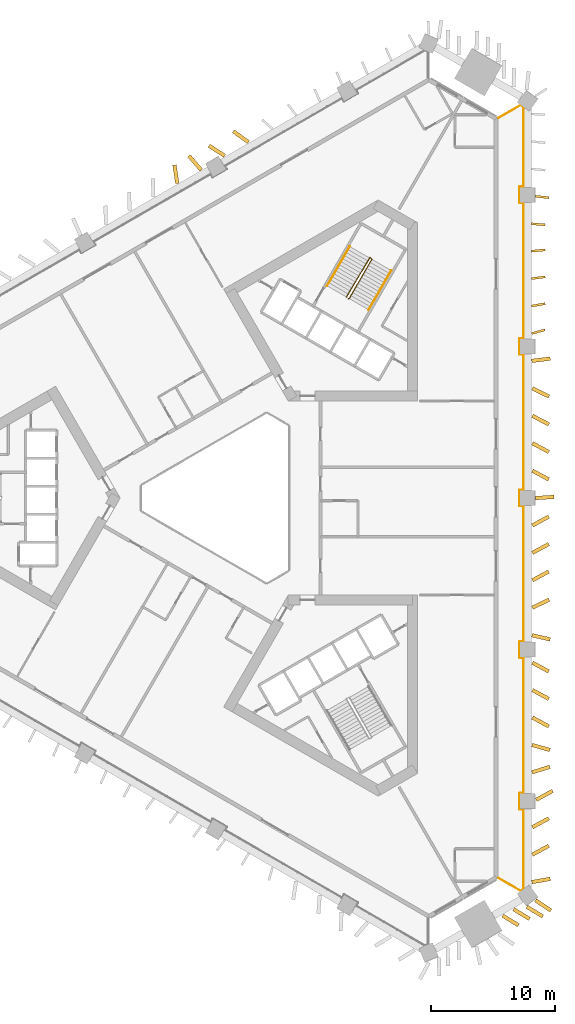
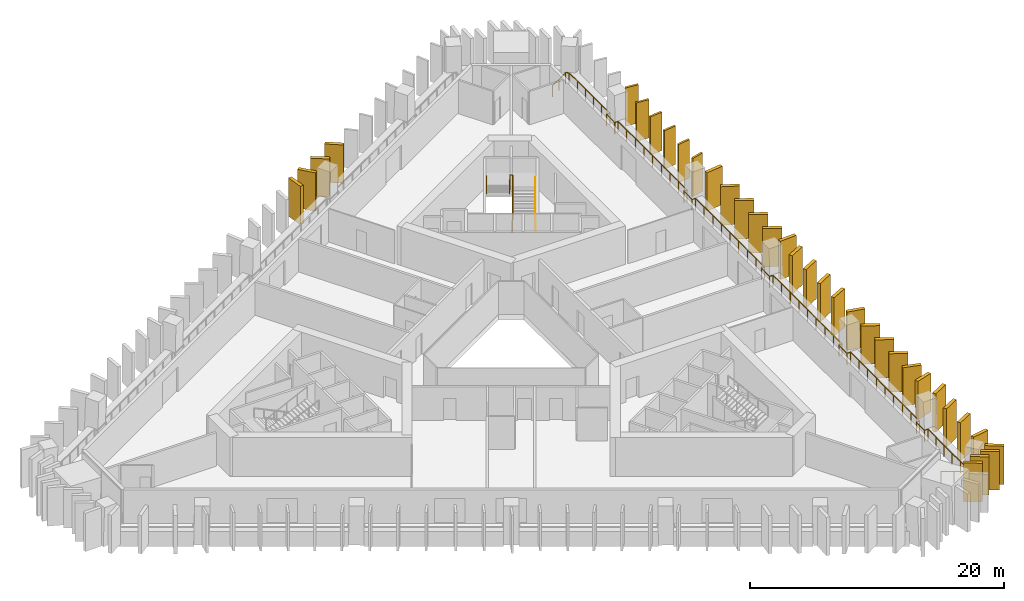
# One storey, part 9 of 10: 34 shading devices, 4 railings.
"""IFC4 building model written with IfcOpenShell, lengths in metres."""

from ifc_helpers import new_model, si_unit, direction, frame, frame_2d, origin, origin_2d, place, context, subcontext, project, spatial, rectangle, circle, extrude, material, layer, layer_set, type_object, element, save


model = new_model("IFC4")

# Units and contexts
model_context = context("Model", 3, precision=1e-05, world=origin(), true_north=direction((0.0, 1.0)))
body_context = subcontext(model_context, "Body", "Model", "MODEL_VIEW")
ifc_project = project(units=[si_unit("LENGTHUNIT", "METRE"), si_unit("AREAUNIT", "SQUARE_METRE"), si_unit("VOLUMEUNIT", "CUBIC_METRE"), si_unit("PLANEANGLEUNIT", "RADIAN"), si_unit("MASSUNIT", "GRAM", prefix="KILO")], contexts=[model_context])

# Site, building, storey
site_placement = place(None, origin())
site = spatial("IfcSite", under=ifc_project, at=site_placement, CompositionType="ELEMENT")
building_placement = place(site_placement, origin())
building = spatial("IfcBuilding", under=site, at=building_placement, Name="Jabali Bay Hotel Tower and Convention Centre", CompositionType="ELEMENT")
storey_placement = place(building_placement, frame((0.0, 0.0, 44.800048828125)))
storey = spatial("IfcBuildingStorey", under=building, at=storey_placement, Name="L09", CompositionType="ELEMENT", Elevation=44.800048828125)

# Railing
ifc_material_1 = material(Name="Glass", Category="glass")
railing_type_1 = type_object("IfcRailingType", Name="Loggia glass guard 1100", PredefinedType="BALUSTRADE", material=ifc_material_1)
railing_1_placement = place(storey_placement, frame((96.401123046875, 110.54052734375, 0.0)))
element("IfcRailing", 1, at=railing_1_placement, inside=storey, type_object=railing_type_1, Name="Loggia glass guard L09", PredefinedType="BALUSTRADE", context=body_context, shape_type="SweptSolid", body=[
    extrude(circle(Radius=0.02490234375, at=origin_2d()), frame((0.0, 0.0, 1.0751953125), z_axis=(0.866005633567, 0.500034241458, 0.0), x_axis=(-0.495756379204, 0.858596835321, 0.13052619222)), (0.0, 0.0, 1.0), 2.055908203125),
    extrude(circle(Radius=0.02490234375, at=origin_2d()), frame((1.780517578125, 1.028076171875, 1.0751953125), z_axis=(0.802243160575, -0.596997413153, 0.0), x_axis=(0.591890017524, 0.795379859124, 0.13052619222)), (0.0, 0.0, 1.0), 0.273681640625),
    extrude(circle(Radius=0.02490234375, at=origin_2d()), frame((2.0, 0.86474609375, 1.0751953125), z_axis=(0.0, -1.0, 0.0), x_axis=(0.991444861374, 0.0, 0.13052619222)), (0.0, 0.0, 1.0), 6.390869140625),
    extrude(circle(Radius=0.02490234375, at=origin_2d()), frame((2.0, -5.526123046875, 1.0751953125), z_axis=(-1.0, 0.0, 0.0), x_axis=(0.0, -0.991444861374, 0.13052619222)), (0.0, 0.0, 1.0), 0.2998046875),
    extrude(circle(Radius=0.02490234375, at=origin_2d()), frame((1.7001953125, -5.526123046875, 1.0751953125), z_axis=(0.0, -1.0, 0.0), x_axis=(0.991444861374, 0.0, 0.13052619222)), (0.0, 0.0, 1.0), 1.300048828125),
    extrude(circle(Radius=0.02490234375, at=origin_2d()), frame((1.7001953125, -6.826171875, 1.0751953125), z_axis=(1.0, 0.0, 0.0), x_axis=(0.0, 0.991444861374, 0.13052619222)), (0.0, 0.0, 1.0), 0.2998046875),
    extrude(circle(Radius=0.02490234375, at=origin_2d()), frame((2.0, -6.826171875, 1.0751953125), z_axis=(0.0, -1.0, 0.0), x_axis=(0.991444861374, 0.0, 0.13052619222)), (0.0, 0.0, 1.0), 10.882080078125),
    extrude(circle(Radius=0.02490234375, at=origin_2d()), frame((2.0, -17.708251953125, 1.0751953125), z_axis=(-1.0, 0.0, 0.0), x_axis=(0.0, -0.991444861374, 0.13052619222)), (0.0, 0.0, 1.0), 0.2998046875),
    extrude(circle(Radius=0.02490234375, at=origin_2d()), frame((1.7001953125, -17.708251953125, 1.0751953125), z_axis=(0.0, -1.0, 0.0), x_axis=(0.991444861374, 0.0, 0.13052619222)), (0.0, 0.0, 1.0), 1.300048828125),
    extrude(circle(Radius=0.02490234375, at=origin_2d()), frame((1.7001953125, -19.00830078125, 1.0751953125), z_axis=(1.0, 0.0, 0.0), x_axis=(0.0, 0.991444861374, 0.13052619222)), (0.0, 0.0, 1.0), 0.2998046875),
    extrude(circle(Radius=0.02490234375, at=origin_2d()), frame((2.0, -19.00830078125, 1.0751953125), z_axis=(0.0, -1.0, 0.0), x_axis=(0.991444861374, 0.0, 0.13052619222)), (0.0, 0.0, 1.0), 10.88232421875),
    extrude(circle(Radius=0.02490234375, at=origin_2d()), frame((2.0, -29.890625, 1.0751953125), z_axis=(-1.0, 0.0, 0.0), x_axis=(0.0, -0.991444861374, 0.13052619222)), (0.0, 0.0, 1.0), 0.2998046875),
    extrude(circle(Radius=0.02490234375, at=origin_2d()), frame((1.7001953125, -29.890625, 1.0751953125), z_axis=(0.0, -1.0, 0.0), x_axis=(0.991444861374, 0.0, 0.13052619222)), (0.0, 0.0, 1.0), 1.2998046875),
    extrude(circle(Radius=0.02490234375, at=origin_2d()), frame((1.7001953125, -31.1904296875, 1.0751953125), z_axis=(1.0, 0.0, 0.0), x_axis=(0.0, 0.991444861374, 0.13052619222)), (0.0, 0.0, 1.0), 0.2998046875),
    extrude(circle(Radius=0.02490234375, at=origin_2d()), frame((2.0, -31.1904296875, 1.0751953125), z_axis=(0.0, -1.0, 0.0), x_axis=(0.991444861374, 0.0, 0.13052619222)), (0.0, 0.0, 1.0), 10.88232421875),
    extrude(circle(Radius=0.02490234375, at=origin_2d()), frame((2.0, -42.07275390625, 1.0751953125), z_axis=(-1.0, 0.0, 0.0), x_axis=(0.0, -0.991444861374, 0.13052619222)), (0.0, 0.0, 1.0), 0.2998046875),
    extrude(circle(Radius=0.02490234375, at=origin_2d()), frame((1.7001953125, -42.07275390625, 1.0751953125), z_axis=(0.0, -1.0, 0.0), x_axis=(0.991444861374, 0.0, 0.13052619222)), (0.0, 0.0, 1.0), 1.300048828125),
    extrude(circle(Radius=0.02490234375, at=origin_2d()), frame((1.7001953125, -43.372802734375, 1.0751953125), z_axis=(1.0, 0.0, 0.0), x_axis=(0.0, 0.991444861374, 0.13052619222)), (0.0, 0.0, 1.0), 0.2998046875),
    extrude(circle(Radius=0.02490234375, at=origin_2d()), frame((2.0, -43.372802734375, 1.0751953125), z_axis=(0.0, -1.0, 0.0), x_axis=(0.991444861374, 0.0, 0.13052619222)), (0.0, 0.0, 1.0), 10.882080078125),
    extrude(circle(Radius=0.02490234375, at=origin_2d()), frame((2.0, -54.2548828125, 1.0751953125), z_axis=(-1.0, 0.0, 0.0), x_axis=(0.0, -0.991444861374, 0.13052619222)), (0.0, 0.0, 1.0), 0.2998046875),
    extrude(circle(Radius=0.02490234375, at=origin_2d()), frame((1.7001953125, -54.2548828125, 1.0751953125), z_axis=(0.0, -1.0, 0.0), x_axis=(0.991444861374, 0.0, 0.13052619222)), (0.0, 0.0, 1.0), 1.300048828125),
    extrude(circle(Radius=0.02490234375, at=origin_2d()), frame((1.7001953125, -55.554931640625, 1.0751953125), z_axis=(1.0, 0.0, 0.0), x_axis=(0.0, 0.991444861374, 0.13052619222)), (0.0, 0.0, 1.0), 0.2998046875),
    extrude(circle(Radius=0.02490234375, at=origin_2d()), frame((2.0, -55.554931640625, 1.0751953125), z_axis=(0.0, -1.0, 0.0), x_axis=(0.991444861374, 0.0, 0.13052619222)), (0.0, 0.0, 1.0), 6.390869140625),
    extrude(circle(Radius=0.02490234375, at=origin_2d()), frame((2.0, -61.94580078125, 1.0751953125), z_axis=(-0.802243160575, -0.596997413153, 0.0), x_axis=(0.591890017524, -0.795379859124, 0.13052619222)), (0.0, 0.0, 1.0), 0.273681640625),
    extrude(circle(Radius=0.02490234375, at=origin_2d()), frame((1.780517578125, -62.109130859375, 1.0751953125), z_axis=(-0.866005633567, 0.500034241458, 0.0), x_axis=(-0.495756379204, -0.858596835321, 0.13052619222)), (0.0, 0.0, 1.0), 2.055908203125),
    extrude(circle(Radius=0.02001953125, at=origin_2d()), origin(), (0.0, 0.0, 1.0), 1.050048828125),
    extrude(circle(Radius=0.02001953125, at=origin_2d()), frame((0.89013671875, 0.51416015625, 0.0)), (0.0, 0.0, 1.0), 1.050048828125),
    extrude(circle(Radius=0.02001953125, at=origin_2d()), frame((1.780517578125, 1.028076171875, 0.0)), (0.0, 0.0, 1.0), 1.050048828125),
    extrude(circle(Radius=0.02001953125, at=origin_2d()), frame((2.0, 0.86474609375, 0.0)), (0.0, 0.0, 1.0), 1.050048828125),
    extrude(circle(Radius=0.02001953125, at=origin_2d()), frame((2.0, -0.413330078125, 0.0)), (0.0, 0.0, 1.0), 1.050048828125),
    extrude(circle(Radius=0.02001953125, at=origin_2d()), frame((2.0, -1.691650390625, 0.0)), (0.0, 0.0, 1.0), 1.050048828125),
    extrude(circle(Radius=0.02001953125, at=origin_2d()), frame((2.0, -2.9697265625, 0.0)), (0.0, 0.0, 1.0), 1.050048828125),
    extrude(circle(Radius=0.02001953125, at=origin_2d()), frame((2.0, -4.248046875, 0.0)), (0.0, 0.0, 1.0), 1.050048828125),
    extrude(circle(Radius=0.02001953125, at=origin_2d()), frame((2.0, -5.526123046875, 0.0)), (0.0, 0.0, 1.0), 1.050048828125),
    extrude(circle(Radius=0.02001953125, at=origin_2d()), frame((1.7001953125, -5.526123046875, 0.0)), (0.0, 0.0, 1.0), 1.050048828125),
    extrude(circle(Radius=0.02001953125, at=origin_2d()), frame((1.7001953125, -6.826171875, 0.0)), (0.0, 0.0, 1.0), 1.050048828125),
    extrude(circle(Radius=0.02001953125, at=origin_2d()), frame((2.0, -6.826171875, 0.0)), (0.0, 0.0, 1.0), 1.050048828125),
    extrude(circle(Radius=0.02001953125, at=origin_2d()), frame((2.0, -8.1865234375, 0.0)), (0.0, 0.0, 1.0), 1.050048828125),
    extrude(circle(Radius=0.02001953125, at=origin_2d()), frame((2.0, -9.546630859375, 0.0)), (0.0, 0.0, 1.0), 1.050048828125),
    extrude(circle(Radius=0.02001953125, at=origin_2d()), frame((2.0, -10.906982421875, 0.0)), (0.0, 0.0, 1.0), 1.050048828125),
    extrude(circle(Radius=0.02001953125, at=origin_2d()), frame((2.0, -12.26708984375, 0.0)), (0.0, 0.0, 1.0), 1.050048828125),
    extrude(circle(Radius=0.02001953125, at=origin_2d()), frame((2.0, -13.62744140625, 0.0)), (0.0, 0.0, 1.0), 1.050048828125),
    extrude(circle(Radius=0.02001953125, at=origin_2d()), frame((2.0, -14.98779296875, 0.0)), (0.0, 0.0, 1.0), 1.050048828125),
    extrude(circle(Radius=0.02001953125, at=origin_2d()), frame((2.0, -16.347900390625, 0.0)), (0.0, 0.0, 1.0), 1.050048828125),
    extrude(circle(Radius=0.02001953125, at=origin_2d()), frame((2.0, -17.708251953125, 0.0)), (0.0, 0.0, 1.0), 1.050048828125),
    extrude(circle(Radius=0.02001953125, at=origin_2d()), frame((1.7001953125, -17.708251953125, 0.0)), (0.0, 0.0, 1.0), 1.050048828125),
    extrude(circle(Radius=0.02001953125, at=origin_2d()), frame((1.7001953125, -19.00830078125, 0.0)), (0.0, 0.0, 1.0), 1.050048828125),
    extrude(circle(Radius=0.02001953125, at=origin_2d()), frame((2.0, -19.00830078125, 0.0)), (0.0, 0.0, 1.0), 1.050048828125),
    extrude(circle(Radius=0.02001953125, at=origin_2d()), frame((2.0, -20.36865234375, 0.0)), (0.0, 0.0, 1.0), 1.050048828125),
    extrude(circle(Radius=0.02001953125, at=origin_2d()), frame((2.0, -21.72900390625, 0.0)), (0.0, 0.0, 1.0), 1.050048828125),
    extrude(circle(Radius=0.02001953125, at=origin_2d()), frame((2.0, -23.089111328125, 0.0)), (0.0, 0.0, 1.0), 1.050048828125),
    extrude(circle(Radius=0.02001953125, at=origin_2d()), frame((2.0, -24.449462890625, 0.0)), (0.0, 0.0, 1.0), 1.050048828125),
    extrude(circle(Radius=0.02001953125, at=origin_2d()), frame((2.0, -25.809814453125, 0.0)), (0.0, 0.0, 1.0), 1.050048828125),
    extrude(circle(Radius=0.02001953125, at=origin_2d()), frame((2.0, -27.169921875, 0.0)), (0.0, 0.0, 1.0), 1.050048828125),
    extrude(circle(Radius=0.02001953125, at=origin_2d()), frame((2.0, -28.5302734375, 0.0)), (0.0, 0.0, 1.0), 1.050048828125),
    extrude(circle(Radius=0.02001953125, at=origin_2d()), frame((2.0, -29.890625, 0.0)), (0.0, 0.0, 1.0), 1.050048828125),
    extrude(circle(Radius=0.02001953125, at=origin_2d()), frame((1.7001953125, -29.890625, 0.0)), (0.0, 0.0, 1.0), 1.050048828125),
    extrude(circle(Radius=0.02001953125, at=origin_2d()), frame((1.7001953125, -31.1904296875, 0.0)), (0.0, 0.0, 1.0), 1.050048828125),
    extrude(circle(Radius=0.02001953125, at=origin_2d()), frame((2.0, -31.1904296875, 0.0)), (0.0, 0.0, 1.0), 1.050048828125),
    extrude(circle(Radius=0.02001953125, at=origin_2d()), frame((2.0, -32.55078125, 0.0)), (0.0, 0.0, 1.0), 1.050048828125),
    extrude(circle(Radius=0.02001953125, at=origin_2d()), frame((2.0, -33.9111328125, 0.0)), (0.0, 0.0, 1.0), 1.050048828125),
    extrude(circle(Radius=0.02001953125, at=origin_2d()), frame((2.0, -35.271240234375, 0.0)), (0.0, 0.0, 1.0), 1.050048828125),
    extrude(circle(Radius=0.02001953125, at=origin_2d()), frame((2.0, -36.631591796875, 0.0)), (0.0, 0.0, 1.0), 1.050048828125),
    extrude(circle(Radius=0.02001953125, at=origin_2d()), frame((2.0, -37.991943359375, 0.0)), (0.0, 0.0, 1.0), 1.050048828125),
    extrude(circle(Radius=0.02001953125, at=origin_2d()), frame((2.0, -39.35205078125, 0.0)), (0.0, 0.0, 1.0), 1.050048828125),
    extrude(circle(Radius=0.02001953125, at=origin_2d()), frame((2.0, -40.71240234375, 0.0)), (0.0, 0.0, 1.0), 1.050048828125),
    extrude(circle(Radius=0.02001953125, at=origin_2d()), frame((2.0, -42.07275390625, 0.0)), (0.0, 0.0, 1.0), 1.050048828125),
    extrude(circle(Radius=0.02001953125, at=origin_2d()), frame((1.7001953125, -42.07275390625, 0.0)), (0.0, 0.0, 1.0), 1.050048828125),
    extrude(circle(Radius=0.02001953125, at=origin_2d()), frame((1.7001953125, -43.372802734375, 0.0)), (0.0, 0.0, 1.0), 1.050048828125),
    extrude(circle(Radius=0.02001953125, at=origin_2d()), frame((2.0, -43.372802734375, 0.0)), (0.0, 0.0, 1.0), 1.050048828125),
    extrude(circle(Radius=0.02001953125, at=origin_2d()), frame((2.0, -44.733154296875, 0.0)), (0.0, 0.0, 1.0), 1.050048828125),
    extrude(circle(Radius=0.02001953125, at=origin_2d()), frame((2.0, -46.09326171875, 0.0)), (0.0, 0.0, 1.0), 1.050048828125),
    extrude(circle(Radius=0.02001953125, at=origin_2d()), frame((2.0, -47.45361328125, 0.0)), (0.0, 0.0, 1.0), 1.050048828125),
    extrude(circle(Radius=0.02001953125, at=origin_2d()), frame((2.0, -48.81396484375, 0.0)), (0.0, 0.0, 1.0), 1.050048828125),
    extrude(circle(Radius=0.02001953125, at=origin_2d()), frame((2.0, -50.174072265625, 0.0)), (0.0, 0.0, 1.0), 1.050048828125),
    extrude(circle(Radius=0.02001953125, at=origin_2d()), frame((2.0, -51.534423828125, 0.0)), (0.0, 0.0, 1.0), 1.050048828125),
    extrude(circle(Radius=0.02001953125, at=origin_2d()), frame((2.0, -52.89453125, 0.0)), (0.0, 0.0, 1.0), 1.050048828125),
    extrude(circle(Radius=0.02001953125, at=origin_2d()), frame((2.0, -54.2548828125, 0.0)), (0.0, 0.0, 1.0), 1.050048828125),
    extrude(circle(Radius=0.02001953125, at=origin_2d()), frame((1.7001953125, -54.2548828125, 0.0)), (0.0, 0.0, 1.0), 1.050048828125),
    extrude(circle(Radius=0.02001953125, at=origin_2d()), frame((1.7001953125, -55.554931640625, 0.0)), (0.0, 0.0, 1.0), 1.050048828125),
    extrude(circle(Radius=0.02001953125, at=origin_2d()), frame((2.0, -55.554931640625, 0.0)), (0.0, 0.0, 1.0), 1.050048828125),
    extrude(circle(Radius=0.02001953125, at=origin_2d()), frame((2.0, -56.8330078125, 0.0)), (0.0, 0.0, 1.0), 1.050048828125),
    extrude(circle(Radius=0.02001953125, at=origin_2d()), frame((2.0, -58.111328125, 0.0)), (0.0, 0.0, 1.0), 1.050048828125),
    extrude(circle(Radius=0.02001953125, at=origin_2d()), frame((2.0, -59.389404296875, 0.0)), (0.0, 0.0, 1.0), 1.050048828125),
    extrude(circle(Radius=0.02001953125, at=origin_2d()), frame((2.0, -60.667724609375, 0.0)), (0.0, 0.0, 1.0), 1.050048828125),
    extrude(circle(Radius=0.02001953125, at=origin_2d()), frame((2.0, -61.94580078125, 0.0)), (0.0, 0.0, 1.0), 1.050048828125),
    extrude(circle(Radius=0.02001953125, at=origin_2d()), frame((1.780517578125, -62.109130859375, 0.0)), (0.0, 0.0, 1.0), 1.050048828125),
    extrude(circle(Radius=0.02001953125, at=origin_2d()), frame((0.89013671875, -61.59521484375, 0.0)), (0.0, 0.0, 1.0), 1.050048828125),
    extrude(circle(Radius=0.02001953125, at=origin_2d()), frame((0.0, -61.0810546875, 0.0)), (0.0, 0.0, 1.0), 1.050048828125),
])

# Shading devices
ifc_material_2 = material(Name="Precast concrete C60", Category="concrete")
ifc_layer_1 = layer(ifc_material_2, 0.179931640625)
ifc_layer_set_1 = layer_set([ifc_layer_1], Name="Precast concrete C60")
shading_device_type_1 = type_object("IfcShadingDeviceType", Name="Precast fin 3680 x 1100", PredefinedType="USERDEFINED", material=ifc_layer_set_1)
shading_device_1_placement = place(storey_placement, frame((99.0673828125, 93.22265625, 0.010009765625), z_axis=(0.0, 0.0, 1.0), x_axis=(0.964141542148, 0.265388557977, 0.0)))
element("IfcShadingDevice", 2, at=shading_device_1_placement, inside=storey, type_object=shading_device_type_1, Name="Fin L09 020", ObjectType="FIN", PredefinedType="USERDEFINED", context=body_context, shape_type="SweptSolid", body=[
    extrude(rectangle(XDim=1.100341796875, YDim=0.179931640625, at=frame_2d((0.55029296875, 0.0))), origin(), (0.0, 0.0, 1.0), 3.679931640625),
])
shading_device_2_placement = place(storey_placement, frame((99.059326171875, 95.426513671875, 0.010009765625), z_axis=(0.0, 0.0, 1.0), x_axis=(0.984586298403, 0.17489945968, 0.0)))
element("IfcShadingDevice", 3, at=shading_device_2_placement, inside=storey, type_object=shading_device_type_1, Name="Fin L09 021", ObjectType="FIN", PredefinedType="USERDEFINED", context=body_context, shape_type="SweptSolid", body=[
    extrude(rectangle(XDim=1.099853515625, YDim=0.179931640625, at=frame_2d((0.5498046875, 0.0))), origin(), (0.0, 0.0, 1.0), 3.679931640625),
])
for number, where, z_axis, x_axis, name in (
    (4, (99.05517578125, 97.63037109375, 0.010009765625), (0.0, 0.0, 1.0), (0.991594222344, 0.129386623014, 0.0), "Fin L09 022"),
    (5, (99.052001953125, 99.834228515625, 0.010009765625), (0.0, 0.0, 1.0), (0.995563042641, 0.094096908176, 0.0), "Fin L09 023"),
):
    element("IfcShadingDevice", number, at=place(storey_placement, frame(where, z_axis=z_axis, x_axis=x_axis)), inside=storey, type_object=shading_device_type_1, Name=name, ObjectType="FIN", PredefinedType="USERDEFINED", context=body_context, shape_type="SweptSolid", body=[
        extrude(rectangle(XDim=1.10009765625, YDim=0.179931640625, at=frame_2d((0.550048828125, 0.0))), origin(), (0.0, 0.0, 1.0), 3.679931640625),
    ])
for number, where, z_axis, x_axis, name in (
    (6, (99.05126953125, 102.037841796875, 0.010009765625), (0.0, 0.0, 1.0), (0.996473431683, -0.083908878854, 0.0), "Fin L09 024"),
    (7, (99.3603515625, 104.24169921875, 0.010009765625), (0.0, 0.0, 1.0), (0.994819493518, -0.101657145924, 0.0), "Fin L09 025"),
):
    element("IfcShadingDevice", number, at=place(storey_placement, frame(where, z_axis=z_axis, x_axis=x_axis)), inside=storey, type_object=shading_device_type_1, Name=name, ObjectType="FIN", PredefinedType="USERDEFINED", context=body_context, shape_type="SweptSolid", body=[
        extrude(rectangle(XDim=1.099853515625, YDim=0.179931640625, at=frame_2d((0.5498046875, 0.0))), origin(), (0.0, 0.0, 1.0), 3.679931640625),
    ])
ifc_layer_2 = layer(ifc_material_2, 0.300048828125)
ifc_layer_set_2 = layer_set([ifc_layer_2], Name="Precast concrete C60")
shading_device_type_2 = type_object("IfcShadingDeviceType", Name="Precast fin 3680 x 1500", PredefinedType="USERDEFINED", material=ifc_layer_set_2)
shading_device_3_placement = place(storey_placement, frame((99.0693359375, 49.14697265625, 0.010009765625), z_axis=(0.0, 0.0, 1.0), x_axis=(0.985065678969, 0.172179000223, 0.0)))
element("IfcShadingDevice", 8, at=shading_device_3_placement, inside=storey, type_object=shading_device_type_2, Name="Fin L09 000", ObjectType="FIN", PredefinedType="USERDEFINED", context=body_context, shape_type="SweptSolid", body=[
    extrude(rectangle(XDim=1.500244140625, YDim=0.300048828125, at=frame_2d((0.75, 0.0))), origin(), (0.0, 0.0, 1.0), 3.679931640625),
])
shading_device_4_placement = place(storey_placement, frame((99.115234375, 51.3505859375, 0.010009765625), z_axis=(0.0, 0.0, 1.0), x_axis=(0.878950910321, 0.476912253193, 0.0)))
element("IfcShadingDevice", 9, at=shading_device_4_placement, inside=storey, type_object=shading_device_type_2, Name="Fin L09 001", ObjectType="FIN", PredefinedType="USERDEFINED", context=body_context, shape_type="SweptSolid", body=[
    extrude(rectangle(XDim=1.5, YDim=0.300048828125, at=frame_2d((0.75, 0.0))), origin(), (0.0, 0.0, 1.0), 3.679931640625),
])
shading_device_5_placement = place(storey_placement, frame((99.115234375, 53.554443359375, 0.010009765625), z_axis=(0.0, 0.0, 1.0), x_axis=(0.879019136399, 0.476786490836, 0.0)))
element("IfcShadingDevice", 10, at=shading_device_5_placement, inside=storey, type_object=shading_device_type_2, Name="Fin L09 002", ObjectType="FIN", PredefinedType="USERDEFINED", context=body_context, shape_type="SweptSolid", body=[
    extrude(rectangle(XDim=1.499755859375, YDim=0.300048828125, at=frame_2d((0.75, 0.0))), origin(), (0.0, 0.0, 1.0), 3.679931640625),
])
for number, where, z_axis, x_axis, name in (
    (11, (99.422607421875, 55.75830078125, 0.010009765625), (0.0, 0.0, 1.0), (0.879056132781, 0.476718276785, 0.0), "Fin L09 003"),
    (12, (99.088134765625, 57.962158203125, 0.010009765625), (0.0, 0.0, 1.0), (0.954763366225, 0.297366633156, 0.0), "Fin L09 004"),
    (13, (99.084228515625, 60.165771484375, 0.010009765625), (0.0, 0.0, 1.0), (0.962536852223, -0.271150895469, 0.0), "Fin L09 005"),
):
    element("IfcShadingDevice", number, at=place(storey_placement, frame(where, z_axis=z_axis, x_axis=x_axis)), inside=storey, type_object=shading_device_type_2, Name=name, ObjectType="FIN", PredefinedType="USERDEFINED", context=body_context, shape_type="SweptSolid", body=[
        extrude(rectangle(XDim=1.5, YDim=0.300048828125, at=frame_2d((0.75, 0.0))), origin(), (0.0, 0.0, 1.0), 3.679931640625),
    ])
shading_device_6_placement = place(storey_placement, frame((99.115234375, 62.36962890625, 0.010009765625), z_axis=(0.0, 0.0, 1.0), x_axis=(0.879019136399, -0.476786490836, 0.0)))
element("IfcShadingDevice", 14, at=shading_device_6_placement, inside=storey, type_object=shading_device_type_2, Name="Fin L09 006", ObjectType="FIN", PredefinedType="USERDEFINED", context=body_context, shape_type="SweptSolid", body=[
    extrude(rectangle(XDim=1.499755859375, YDim=0.300048828125, at=frame_2d((0.75, 0.0))), origin(), (0.0, 0.0, 1.0), 3.679931640625),
])
for number, where, z_axis, x_axis, name in (
    (15, (99.115234375, 64.573486328125, 0.010009765625), (0.0, 0.0, 1.0), (0.878950910321, -0.476912253193, 0.0), "Fin L09 007"),
    (16, (99.115234375, 66.77734375, 0.010009765625), (0.0, 0.0, 1.0), (0.878950910321, -0.476912253193, 0.0), "Fin L09 008"),
    (17, (99.077392578125, 68.98095703125, 0.010009765625), (0.0, 0.0, 1.0), (0.974448770061, -0.224609871836, 0.0), "Fin L09 009"),
    (18, (99.109375, 71.184814453125, 0.010009765625), (0.0, 0.0, 1.0), (0.898746545397, 0.438468524683, 0.0), "Fin L09 010"),
):
    element("IfcShadingDevice", number, at=place(storey_placement, frame(where, z_axis=z_axis, x_axis=x_axis)), inside=storey, type_object=shading_device_type_2, Name=name, ObjectType="FIN", PredefinedType="USERDEFINED", context=body_context, shape_type="SweptSolid", body=[
        extrude(rectangle(XDim=1.5, YDim=0.300048828125, at=frame_2d((0.75, 0.0))), origin(), (0.0, 0.0, 1.0), 3.679931640625),
    ])
for number, where, z_axis, x_axis, name in (
    (19, (99.115234375, 73.388671875, 0.010009765625), (0.0, 0.0, 1.0), (0.879019136399, 0.476786490836, 0.0), "Fin L09 011"),
    (20, (99.115234375, 75.592529296875, 0.010009765625), (0.0, 0.0, 1.0), (0.879019136399, 0.476786490836, 0.0), "Fin L09 012"),
):
    element("IfcShadingDevice", number, at=place(storey_placement, frame(where, z_axis=z_axis, x_axis=x_axis)), inside=storey, type_object=shading_device_type_2, Name=name, ObjectType="FIN", PredefinedType="USERDEFINED", context=body_context, shape_type="SweptSolid", body=[
        extrude(rectangle(XDim=1.499755859375, YDim=0.300048828125, at=frame_2d((0.75, 0.0))), origin(), (0.0, 0.0, 1.0), 3.679931640625),
    ])
for number, where, z_axis, x_axis, name in (
    (21, (99.114990234375, 77.796142578125, 0.010009765625), (0.0, 0.0, 1.0), (0.879056132781, 0.476718276785, 0.0), "Fin L09 013"),
    (22, (99.3603515625, 80.0, 0.010009765625), (0.0, 0.0, 1.0), (0.998055110917, 0.062337753992, 0.0), "Fin L09 014"),
    (23, (99.114990234375, 82.203857421875, 0.010009765625), (0.0, 0.0, 1.0), (0.879507712797, -0.475884632165, 0.0), "Fin L09 015"),
):
    element("IfcShadingDevice", number, at=place(storey_placement, frame(where, z_axis=z_axis, x_axis=x_axis)), inside=storey, type_object=shading_device_type_2, Name=name, ObjectType="FIN", PredefinedType="USERDEFINED", context=body_context, shape_type="SweptSolid", body=[
        extrude(rectangle(XDim=1.5, YDim=0.300048828125, at=frame_2d((0.75, 0.0))), origin(), (0.0, 0.0, 1.0), 3.679931640625),
    ])
shading_device_7_placement = place(storey_placement, frame((99.11474609375, 84.407470703125, 0.010009765625), z_axis=(0.0, 0.0, 1.0), x_axis=(0.880784513707, -0.473517307406, 0.0)))
element("IfcShadingDevice", 24, at=shading_device_7_placement, inside=storey, type_object=shading_device_type_2, Name="Fin L09 016", ObjectType="FIN", PredefinedType="USERDEFINED", context=body_context, shape_type="SweptSolid", body=[
    extrude(rectangle(XDim=1.499755859375, YDim=0.300048828125, at=frame_2d((0.75, 0.0))), origin(), (0.0, 0.0, 1.0), 3.679931640625),
])
for number, where, z_axis, x_axis, name in (
    (25, (99.113525390625, 86.611328125, 0.010009765625), (0.0, 0.0, 1.0), (0.885126447265, -0.465350590793, 0.0), "Fin L09 017"),
    (26, (99.109619140625, 88.815185546875, 0.010009765625), (0.0, 0.0, 1.0), (0.898331546391, -0.439318145264, 0.0), "Fin L09 018"),
    (27, (99.062255859375, 91.01904296875, 0.010009765625), (0.0, 0.0, 1.0), (0.992360289557, 0.123373642691, 0.0), "Fin L09 019"),
    (28, (76.30712890625, 108.5888671875, 0.010009765625), (0.0, 0.0, 1.0), (-0.811052463047, 0.584973420067, 0.0), "Fin L09 045"),
):
    element("IfcShadingDevice", number, at=place(storey_placement, frame(where, z_axis=z_axis, x_axis=x_axis)), inside=storey, type_object=shading_device_type_2, Name=name, ObjectType="FIN", PredefinedType="USERDEFINED", context=body_context, shape_type="SweptSolid", body=[
        extrude(rectangle(XDim=1.5, YDim=0.300048828125, at=frame_2d((0.75, 0.0))), origin(), (0.0, 0.0, 1.0), 3.679931640625),
    ])
shading_device_8_placement = place(storey_placement, frame((74.395263671875, 107.492919921875, 0.010009765625), z_axis=(0.0, 0.0, 1.0), x_axis=(-0.839290541904, 0.543683167176, 0.0)))
element("IfcShadingDevice", 29, at=shading_device_8_placement, inside=storey, type_object=shading_device_type_2, Name="Fin L09 046", ObjectType="FIN", PredefinedType="USERDEFINED", context=body_context, shape_type="SweptSolid", body=[
    extrude(rectangle(XDim=1.499755859375, YDim=0.300048828125, at=frame_2d((0.75, 0.0))), origin(), (0.0, 0.0, 1.0), 3.679931640625),
])
shading_device_9_placement = place(storey_placement, frame((72.5068359375, 106.356201171875, 0.010009765625), z_axis=(0.0, 0.0, 1.0), x_axis=(-0.654068890689, 0.756434984803, 0.0)))
element("IfcShadingDevice", 30, at=shading_device_9_placement, inside=storey, type_object=shading_device_type_2, Name="Fin L09 047", ObjectType="FIN", PredefinedType="USERDEFINED", context=body_context, shape_type="SweptSolid", body=[
    extrude(rectangle(XDim=1.500244140625, YDim=0.300048828125, at=frame_2d((0.75, 0.0))), origin(), (0.0, 0.0, 1.0), 3.679931640625),
])
for number, where, z_axis, x_axis, name in (
    (31, (70.5849609375, 105.27734375, 0.010009765625), (0.0, 0.0, 1.0), (-0.149573950236, 0.988750541548, 0.0), "Fin L09 048"),
    (32, (96.72119140625, 46.459228515625, 0.010009765625), (0.0, 0.0, 1.0), (0.85243979358, -0.522825399461, 0.0), "Fin L09 111"),
):
    element("IfcShadingDevice", number, at=place(storey_placement, frame(where, z_axis=z_axis, x_axis=x_axis)), inside=storey, type_object=shading_device_type_2, Name=name, ObjectType="FIN", PredefinedType="USERDEFINED", context=body_context, shape_type="SweptSolid", body=[
        extrude(rectangle(XDim=1.5, YDim=0.300048828125, at=frame_2d((0.75, 0.0))), origin(), (0.0, 0.0, 1.0), 3.679931640625),
    ])
shading_device_10_placement = place(storey_placement, frame((97.604736328125, 46.969482421875, 0.010009765625), z_axis=(0.0, 0.0, 1.0), x_axis=(0.852411747913, -0.52287112372, 0.0)))
element("IfcShadingDevice", 33, at=shading_device_10_placement, inside=storey, type_object=shading_device_type_2, Name="Fin L09 112", ObjectType="FIN", PredefinedType="USERDEFINED", context=body_context, shape_type="SweptSolid", body=[
    extrude(rectangle(XDim=1.500244140625, YDim=0.300048828125, at=frame_2d((0.75, 0.0))), origin(), (0.0, 0.0, 1.0), 3.679931640625),
])
for number, where, z_axis, x_axis, name in (
    (34, (98.6689453125, 47.167236328125, 0.010009765625), (0.0, 0.0, 1.0), (0.852367247543, -0.522943663616, 0.0), "Fin L09 113"),
    (35, (99.36474609375, 47.690673828125, 0.010009765625), (0.0, 0.0, 1.0), (0.832375679288, -0.554211808364, 0.0), "Fin L09 114"),
):
    element("IfcShadingDevice", number, at=place(storey_placement, frame(where, z_axis=z_axis, x_axis=x_axis)), inside=storey, type_object=shading_device_type_2, Name=name, ObjectType="FIN", PredefinedType="USERDEFINED", context=body_context, shape_type="SweptSolid", body=[
        extrude(rectangle(XDim=1.5, YDim=0.300048828125, at=frame_2d((0.75, 0.0))), origin(), (0.0, 0.0, 1.0), 3.679931640625),
    ])

# Railings
ifc_material_3 = material(Name="Steel Q355B", Category="steel")
railing_type_2 = type_object("IfcRailingType", Name="Stair guard 1100", PredefinedType="GUARDRAIL", material=ifc_material_3)
railing_2_placement = place(storey_placement, frame((84.329833984375, 96.010009765625, 0.0)))
element("IfcRailing", 36, at=railing_2_placement, inside=storey, type_object=railing_type_2, Name="L09 ST2 stair guard 1", PredefinedType="GUARDRAIL", context=body_context, shape_type="SweptSolid", body=[
    extrude(circle(Radius=0.02392578125, at=origin_2d()), frame((0.0, 0.0, 1.076171875), z_axis=(0.456201556387, 0.122196845461, 0.881446578591), x_axis=(-0.258736085224, 0.965948051503, 0.0)), (0.0, 0.0, 1.0), 0.14990234375),
    extrude(circle(Radius=0.02392578125, at=origin_2d()), frame((0.068359375, 0.018310546875, 1.2080078125), z_axis=(0.452190331055, 0.783190014029, 0.426775475427), x_axis=(-0.866018046521, 0.500012742938, 0.0)), (0.0, 0.0, 1.0), 4.02490234375),
    extrude(circle(Radius=0.02392578125, at=origin_2d()), frame((1.888427734375, 3.170654296875, 2.92578125), z_axis=(-0.718850276695, 0.695164929852, 0.0), x_axis=(-0.695164929852, -0.718850276695, 0.0)), (0.0, 0.0, 1.0), 0.2060546875),
    extrude(circle(Radius=0.02392578125, at=origin_2d()), frame((1.740234375, 3.31396484375, 2.92578125), z_axis=(-0.457445338502, -0.768046879266, 0.448160410493), x_axis=(0.859157857954, -0.511710636118, 0.0)), (0.0, 0.0, 1.0), 4.128173828125),
    extrude(circle(Radius=0.02099609375, at=origin_2d()), origin(), (0.0, 0.0, 1.0), 1.052001953125),
    extrude(circle(Radius=0.02099609375, at=origin_2d()), frame((0.068359375, 0.018310546875, 0.132080078125)), (0.0, 0.0, 1.0), 1.052001953125),
    extrude(circle(Radius=0.02099609375, at=origin_2d()), frame((0.5234375, 0.806396484375, 0.5615234375)), (0.0, 0.0, 1.0), 1.052001953125),
    extrude(circle(Radius=0.02099609375, at=origin_2d()), frame((0.978515625, 1.594482421875, 0.990966796875)), (0.0, 0.0, 1.0), 1.052001953125),
    extrude(circle(Radius=0.02099609375, at=origin_2d()), frame((1.433349609375, 2.382568359375, 1.42041015625)), (0.0, 0.0, 1.0), 1.052001953125),
    extrude(circle(Radius=0.02099609375, at=origin_2d()), frame((1.888427734375, 3.170654296875, 1.849853515625)), (0.0, 0.0, 1.0), 1.052001953125),
    extrude(circle(Radius=0.02099609375, at=origin_2d()), frame((1.740234375, 3.31396484375, 1.849853515625)), (0.0, 0.0, 1.0), 1.052001953125),
    extrude(circle(Radius=0.02099609375, at=origin_2d()), frame((1.26806640625, 2.521240234375, 2.3125)), (0.0, 0.0, 1.0), 1.052001953125),
    extrude(circle(Radius=0.02099609375, at=origin_2d()), frame((0.7958984375, 1.728515625, 2.77490234375)), (0.0, 0.0, 1.0), 1.052001953125),
    extrude(circle(Radius=0.02099609375, at=origin_2d()), frame((0.323974609375, 0.93603515625, 3.2373046875)), (0.0, 0.0, 1.0), 1.052001953125),
    extrude(circle(Radius=0.02099609375, at=origin_2d()), frame((-0.148193359375, 0.143310546875, 3.699951171875)), (0.0, 0.0, 1.0), 1.052001953125),
])
railing_type_3 = type_object("IfcRailingType", Name="Stair handrail 900", PredefinedType="HANDRAIL", material=ifc_material_3)
railing_3_placement = place(storey_placement, frame((85.95703125, 95.128173828125, 0.132080078125)))
element("IfcRailing", 37, at=railing_3_placement, inside=storey, type_object=railing_type_3, Name="L09 ST2 stair handrail 1", PredefinedType="HANDRAIL", context=body_context, shape_type="SweptSolid", body=[
    extrude(circle(Radius=0.02392578125, at=origin_2d()), frame((0.0, 0.0, 0.8759765625), z_axis=(0.452190331055, 0.783190014029, 0.426775475427), x_axis=(-0.866018046521, 0.500012742938, 0.0)), (0.0, 0.0, 1.0), 4.02490234375),
    extrude(circle(Radius=0.02099609375, at=origin_2d()), origin(), (0.0, 0.0, 1.0), 0.851806640625),
    extrude(circle(Radius=0.02099609375, at=origin_2d()), frame((0.455078125, 0.7880859375, 0.429443359375)), (0.0, 0.0, 1.0), 0.851806640625),
    extrude(circle(Radius=0.02099609375, at=origin_2d()), frame((0.91015625, 1.576171875, 0.85888671875)), (0.0, 0.0, 1.0), 0.851806640625),
    extrude(circle(Radius=0.02099609375, at=origin_2d()), frame((1.364990234375, 2.3642578125, 1.288330078125)), (0.0, 0.0, 1.0), 0.851806640625),
    extrude(circle(Radius=0.02099609375, at=origin_2d()), frame((1.820068359375, 3.15234375, 1.7177734375)), (0.0, 0.0, 1.0), 0.851806640625),
])
railing_4_placement = place(storey_placement, frame((84.44287109375, 100.20556640625, 1.982177734375)))
element("IfcRailing", 38, at=railing_4_placement, inside=storey, type_object=railing_type_3, Name="L09 ST2 stair handrail 2", PredefinedType="HANDRAIL", context=body_context, shape_type="SweptSolid", body=[
    extrude(circle(Radius=0.02392578125, at=origin_2d()), frame((0.0, 0.0, 0.8759765625), z_axis=(-0.452190331055, -0.783190014029, 0.426775475427), x_axis=(0.866018046521, -0.500012742938, 0.0)), (0.0, 0.0, 1.0), 4.02490234375),
    extrude(circle(Radius=0.02099609375, at=origin_2d()), origin(), (0.0, 0.0, 1.0), 0.851806640625),
    extrude(circle(Radius=0.02099609375, at=origin_2d()), frame((-0.455078125, -0.7880859375, 0.429443359375)), (0.0, 0.0, 1.0), 0.851806640625),
    extrude(circle(Radius=0.02099609375, at=origin_2d()), frame((-0.91015625, -1.576171875, 0.85888671875)), (0.0, 0.0, 1.0), 0.851806640625),
    extrude(circle(Radius=0.02099609375, at=origin_2d()), frame((-1.364990234375, -2.3642578125, 1.288330078125)), (0.0, 0.0, 1.0), 0.851806640625),
    extrude(circle(Radius=0.02099609375, at=origin_2d()), frame((-1.820068359375, -3.15234375, 1.7177734375)), (0.0, 0.0, 1.0), 0.851806640625),
])

save(model, "model.ifc")
